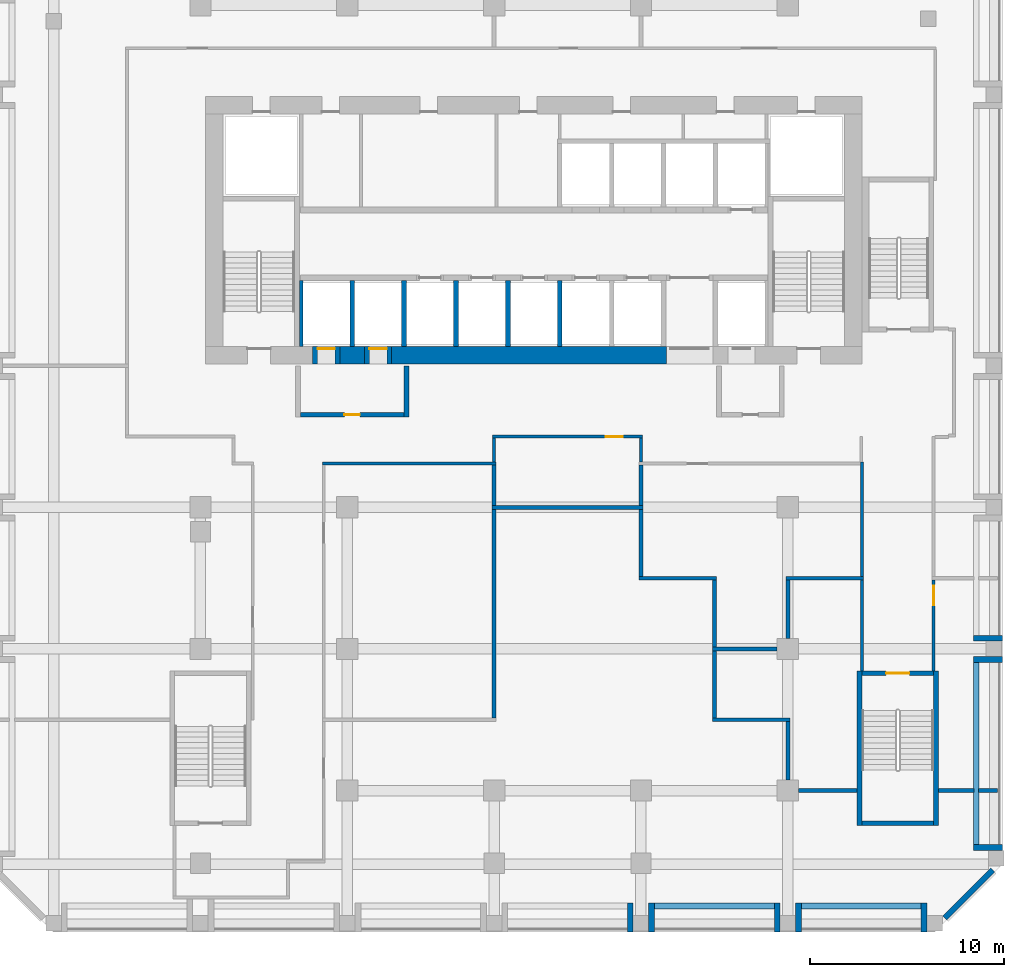
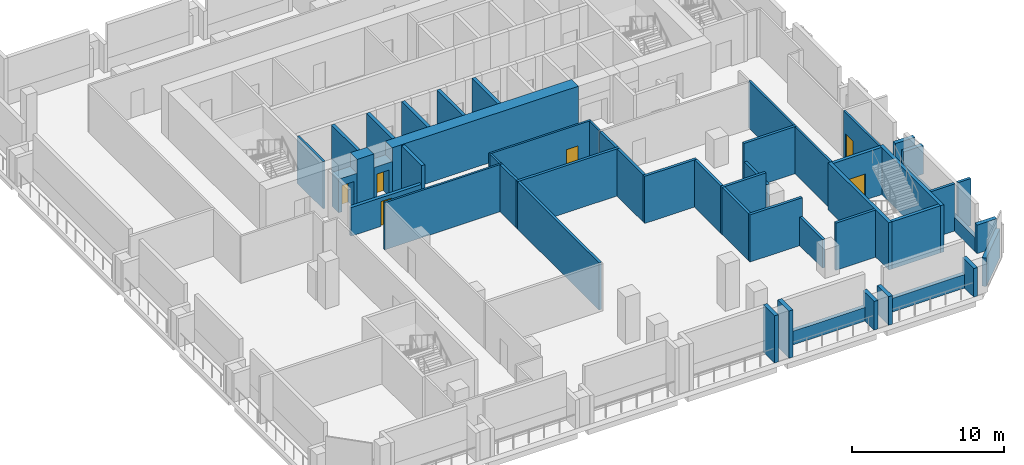
# One storey, part 3 of 10: 51 walls, 6 doors, 6 openings.
"""IFC4 building model written with IfcOpenShell, lengths in metres."""

import ifcopenshell
import ifcopenshell.guid

model = None  # the IFC model being written
_history = None  # IfcOwnerHistory: only IFC2X3 demands one
_inside = {}  # id of a spatial element -> (the spatial element, [elements in it])
_under = {}  # id of a project, library or spatial element -> (it, [spatial elements below it])
_declared = {}  # id of a project -> (the project, [libraries it declares])
_typed = {}  # id of a type object -> (the type object, [elements of that type])
_made_of = {}  # id of a material, layer set ... -> (it, [elements and type objects made of it])


def new_model(schema):
    """Start an empty IFC model of exactly this schema.

    Asked for "IFC4X3", IfcOpenShell would pick the latest addendum, in which some entities
    have other attributes; the version numbers below select the first issue.
    IFC2X3 requires an IfcOwnerHistory on every rooted entity: one is made here for all.
    """
    global model, _history
    if schema == "IFC4X3":
        model = ifcopenshell.file(schema_version=(4, 3, 0, 0))
    else:
        model = ifcopenshell.file(schema=schema)
    _inside.clear()
    _under.clear()
    _declared.clear()
    _typed.clear()
    _made_of.clear()
    _history = None
    if model.schema == "IFC2X3":
        org = make("IfcOrganization", Name="unknown")
        user = make(
            "IfcPersonAndOrganization",
            ThePerson=make("IfcPerson", FamilyName="unknown"),
            TheOrganization=org,
        )
        app = make(
            "IfcApplication",
            ApplicationDeveloper=org,
            Version="unknown",
            ApplicationFullName="unknown",
            ApplicationIdentifier="unknown",
        )
        _history = make(
            "IfcOwnerHistory",
            OwningUser=user,
            OwningApplication=app,
            ChangeAction="ADDED",
            CreationDate=0,
        )
    return model


def make(cls, **values):
    """One entity of the class cls with the attributes given. An attribute that is None is left unset."""
    return model.create_entity(
        cls, **{name: value for name, value in values.items() if value is not None}
    )


def rooted(cls, **values):
    """An entity with a GlobalId (a new one), such as an element, a storey or a relation."""
    return make(cls, GlobalId=ifcopenshell.guid.new(), OwnerHistory=_history, **values)


def si_unit(unit_type, name, prefix=None):
    """IfcSIUnit, for example si_unit("LENGTHUNIT", "METRE", prefix="MILLI")."""
    return make("IfcSIUnit", UnitType=unit_type, Prefix=prefix, Name=name)


def assignment(units):
    """IfcUnitAssignment: the units of a project."""
    return None if units is None else make("IfcUnitAssignment", Units=units)


def point(xyz):
    """IfcCartesianPoint."""
    return None if xyz is None else make("IfcCartesianPoint", Coordinates=xyz)


def direction(xyz):
    """IfcDirection."""
    return None if xyz is None else make("IfcDirection", DirectionRatios=xyz)


def frame(location, z_axis=None, x_axis=None):
    """IfcAxis2Placement3D, a coordinate frame: its origin and axes. An axis left out is left unset."""
    return make(
        "IfcAxis2Placement3D",
        Location=point(location),
        Axis=direction(z_axis),
        RefDirection=direction(x_axis),
    )


def frame_2d(location, x_axis=None):
    """IfcAxis2Placement2D, a coordinate frame in the plane: its origin and x axis."""
    return make(
        "IfcAxis2Placement2D", Location=point(location), RefDirection=direction(x_axis)
    )


def origin():
    """The frame at (0, 0, 0) with its axes left unset."""
    return frame((0.0, 0.0, 0.0))


def place(relative_to, where):
    """IfcLocalPlacement: puts the frame where relative to a parent placement (None: the world)."""
    return make(
        "IfcLocalPlacement", PlacementRelTo=relative_to, RelativePlacement=where
    )


def context(
    kind, dimensions, precision=None, world=None, true_north=None, identifier=None
):
    """IfcGeometricRepresentationContext, for example the 3D "Model" context."""
    return make(
        "IfcGeometricRepresentationContext",
        ContextIdentifier=identifier,
        ContextType=kind,
        CoordinateSpaceDimension=dimensions,
        Precision=precision,
        WorldCoordinateSystem=world,
        TrueNorth=true_north,
    )


def subcontext(parent, identifier, kind, view, scale=None):
    """IfcGeometricRepresentationSubContext, for example "Body" below "Model"."""
    return make(
        "IfcGeometricRepresentationSubContext",
        ContextIdentifier=identifier,
        ContextType=kind,
        ParentContext=parent,
        TargetScale=scale,
        TargetView=view,
    )


def project(units=None, contexts=None):
    """IfcProject with its units and contexts."""
    return rooted(
        "IfcProject",
        Name="project",
        RepresentationContexts=contexts,
        UnitsInContext=assignment(units),
    )


def spatial(cls, under=None, at=None, **own):
    """A site, building, storey or space (cls), placed at a placement, below another one or the project."""
    s = rooted(cls, ObjectPlacement=at, **own)
    if under is not None:
        _under.setdefault(under.id(), (under, []))[1].append(s)
    return s


def profile(cls, at=None, kind="AREA", **sizes):
    """A parametric profile (cls). Its sizes go by their IFC names, for example OverallWidth=200.0."""
    return make(cls, ProfileType=kind, Position=at, **sizes)


def rectangle(**sizes):
    """IfcRectangleProfileDef."""
    return profile("IfcRectangleProfileDef", **sizes)


def extrude(swept, where, along, depth):
    """IfcExtrudedAreaSolid: the profile swept, set in the frame where, extruded along a direction by depth."""
    return make(
        "IfcExtrudedAreaSolid",
        SweptArea=swept,
        Position=where,
        ExtrudedDirection=direction(along),
        Depth=depth,
    )


def shape(context_of_items, identifier, shape_type, items):
    """IfcShapeRepresentation: the items that make up one representation, for example the "Body"."""
    return make(
        "IfcShapeRepresentation",
        ContextOfItems=context_of_items,
        RepresentationIdentifier=identifier,
        RepresentationType=shape_type,
        Items=items,
    )


def source(mapping_origin, context_of_items, identifier, shape_type, items):
    """IfcRepresentationMap: a shape defined once, which mapped items show again and again."""
    return make(
        "IfcRepresentationMap",
        MappingOrigin=mapping_origin,
        MappedRepresentation=shape(context_of_items, identifier, shape_type, items),
    )


def transform(
    local_origin,
    x_axis=None,
    y_axis=None,
    z_axis=None,
    scale=None,
    scale2=None,
    scale3=None,
    uniform=True,
):
    """IfcCartesianTransformationOperator3D, or its non-uniform kind. x_axis, y_axis, z_axis: its Axis1, 2, 3."""
    if uniform:
        return make(
            "IfcCartesianTransformationOperator3D",
            Axis1=direction(x_axis),
            Axis2=direction(y_axis),
            LocalOrigin=point(local_origin),
            Scale=scale,
            Axis3=direction(z_axis),
        )
    return make(
        "IfcCartesianTransformationOperator3DnonUniform",
        Axis1=direction(x_axis),
        Axis2=direction(y_axis),
        LocalOrigin=point(local_origin),
        Scale=scale,
        Axis3=direction(z_axis),
        Scale2=scale2,
        Scale3=scale3,
    )


def mapped(mapping_source, mapping_target):
    """IfcMappedItem: shows the shape of a source again, moved by a transform."""
    return make(
        "IfcMappedItem", MappingSource=mapping_source, MappingTarget=mapping_target
    )


def material(Name=None, Category=None):
    """IfcMaterial."""
    return make("IfcMaterial", Name=Name, Category=Category)


def layer(
    of_material, thickness, ventilated=None, Name=None, Category=None, Priority=None
):
    """IfcMaterialLayer: one layer of a wall or slab, of a material (None: an air gap)."""
    return make(
        "IfcMaterialLayer",
        Material=of_material,
        LayerThickness=thickness,
        IsVentilated=ventilated,
        Name=Name,
        Category=Category,
        Priority=Priority,
    )


def layer_set(layers, Name=None):
    """IfcMaterialLayerSet."""
    return make("IfcMaterialLayerSet", MaterialLayers=layers, LayerSetName=Name)


def made_of(thing, what):
    """Note that an element or type object is made of a material, layer set ...; save() writes the relation."""
    if what is not None:
        _made_of.setdefault(what.id(), (what, []))[1].append(thing)
    return thing


def type_object(cls, material=None, **own):
    """A type object (cls), such as IfcWallType, which elements share."""
    return made_of(rooted(cls, **own), material)


def element(
    cls,
    number,
    at=None,
    inside=None,
    cuts=None,
    type_object=None,
    material=None,
    context=None,
    identifier="Body",
    shape_type=None,
    held_by="IfcProductDefinitionShape",
    body=None,
    shapes=None,
    **own,
):
    """One element of the class cls, such as IfcWall. Its Tag is "e" and its number.

    at: its placement. inside: the storey or other place that contains it. cuts: it is an
    opening in that element (IfcRelVoidsElement). A single representation is given by context,
    identifier, shape_type and body (its items); several are given by shapes. held_by: the class
    of the entity that holds the representations. save() writes the other relations.
    """
    e = rooted(cls, Tag="e%d" % number, ObjectPlacement=at, **own)
    if body is not None:
        shapes = [shape(context, identifier, shape_type, body)]
    if shapes is not None:
        e.Representation = make(held_by, Representations=shapes)
    if inside is not None:
        _inside.setdefault(inside.id(), (inside, []))[1].append(e)
    if cuts is not None:
        rooted(
            "IfcRelVoidsElement", RelatingBuildingElement=cuts, RelatedOpeningElement=e
        )
    if type_object is not None:
        _typed.setdefault(type_object.id(), (type_object, []))[1].append(e)
    return made_of(e, material)


def fill(opening, filler):
    """IfcRelFillsElement: the door or window that sits in an opening."""
    return rooted(
        "IfcRelFillsElement",
        RelatingOpeningElement=opening,
        RelatedBuildingElement=filler,
    )


def aggregate(whole, parts):
    """IfcRelAggregates: a whole, such as a stair, and the parts it consists of."""
    return rooted("IfcRelAggregates", RelatingObject=whole, RelatedObjects=parts)


def save(model, path):
    """Write the relations noted so far, then the file.

    IfcRelAggregates (storeys below a building ...), IfcRelContainedInSpatialStructure (elements
    in a storey), IfcRelDefinesByType, IfcRelAssociatesMaterial and IfcRelDeclares: one each for
    every whole, place, type object, material and project.
    """
    for whole, parts in _under.values():
        aggregate(whole, parts)
    for where, things in _inside.values():
        rooted(
            "IfcRelContainedInSpatialStructure",
            RelatedElements=things,
            RelatingStructure=where,
        )
    for kind, things in _typed.values():
        rooted("IfcRelDefinesByType", RelatedObjects=things, RelatingType=kind)
    for what, things in _made_of.values():
        rooted("IfcRelAssociatesMaterial", RelatedObjects=things, RelatingMaterial=what)
    for by, libraries in _declared.values():
        rooted("IfcRelDeclares", RelatingContext=by, RelatedDefinitions=libraries)
    model.write(path)


model = new_model("IFC4")

# Units and contexts
model_context = context("Model", 3, precision=1e-05, world=origin(), true_north=direction((0.0, 1.0)))
body_context = subcontext(model_context, "Body", "Model", "MODEL_VIEW")
ifc_project = project(units=[si_unit("LENGTHUNIT", "METRE"), si_unit("AREAUNIT", "SQUARE_METRE"), si_unit("VOLUMEUNIT", "CUBIC_METRE"), si_unit("PLANEANGLEUNIT", "RADIAN"), si_unit("MASSUNIT", "GRAM", prefix="KILO")], contexts=[model_context])

# Site, building, storey
site_placement = place(None, origin())
site = spatial("IfcSite", under=ifc_project, at=site_placement, CompositionType="ELEMENT")
building_placement = place(site_placement, origin())
building = spatial("IfcBuilding", under=site, at=building_placement, Name="Kilnfold Tower and Market Hall", CompositionType="ELEMENT")
storey_placement = place(building_placement, frame((0.0, 0.0, 164.300048828125)))
storey = spatial("IfcBuildingStorey", under=building, at=storey_placement, Name="L38 Plant Transfer Level", CompositionType="ELEMENT", Elevation=164.300048828125)

# Walls
ifc_material_1 = material(Name="Gypsum board on steel studs", Category="steel")
ifc_layer_1 = layer(ifc_material_1, 0.14990234375)
ifc_layer_set_1 = layer_set([ifc_layer_1], Name="Gypsum board on steel studs")
wall_type_1 = type_object("IfcWallType", Name="WALL CORRIDOR 150", PredefinedType="PARTITIONING", material=ifc_layer_set_1)
wall_1_placement = place(storey_placement, frame((-9.875, 2.949951171875, 0.0), z_axis=(0.0, 0.0, 1.0), x_axis=(1.0, 0.0, 0.0)))
element("IfcWall", 1, at=wall_1_placement, inside=storey, type_object=wall_type_1, Name="Partition LY25.6", PredefinedType="PARTITIONING", context=body_context, shape_type="SweptSolid", body=[
    extrude(rectangle(XDim=8.97509765625, YDim=0.14990234375, at=frame_2d((4.487548828125, 0.0))), origin(), (0.0, 0.0, 1.0), 3.800048828125),
])
wall_2_placement = place(storey_placement, frame((6.5830078125, 4.26904296875, 0.0), z_axis=(0.0, 0.0, 1.0), x_axis=(0.0, -1.0, 0.0)))
element("IfcWall", 2, at=wall_2_placement, inside=storey, type_object=wall_type_1, Name="Partition LY25.13", PredefinedType="PARTITIONING", context=body_context, shape_type="SweptSolid", body=[
    extrude(rectangle(XDim=1.244140625, YDim=0.14990234375, at=frame_2d((0.6220703125, 0.0))), origin(), (0.0, 0.0, 1.0), 3.800048828125),
])

# Wall, opening, door
wall_3_placement = place(storey_placement, frame((-1.074951171875, 4.343994140625, 0.0), z_axis=(0.0, 0.0, 1.0), x_axis=(1.0, 0.0, 0.0)))
wall_3 = element("IfcWall", 3, at=wall_3_placement, inside=storey, type_object=wall_type_1, Name="Partition LY25.14", PredefinedType="PARTITIONING", context=body_context, shape_type="SweptSolid", body=[
    extrude(rectangle(XDim=7.73291015625, YDim=0.14990234375, at=frame_2d((3.866455078125, 0.0))), origin(), (0.0, 0.0, 1.0), 3.800048828125),
])
opening_1_placement = place(wall_3_placement, frame((5.8291015625, 0.0, 0.0)))
opening_1 = element("IfcOpeningElement", 4, at=opening_1_placement, cuts=wall_3, Name="Opening D3", PredefinedType="OPENING", context=body_context, shape_type="SweptSolid", body=[
    extrude(rectangle(XDim=0.89990234375, YDim=2.10009765625, at=frame_2d((0.449951171875, 1.050048828125))), frame((0.0, 0.0849609375, 0.0), z_axis=(0.0, -1.0, 0.0), x_axis=(1.0, 0.0, 0.0)), (0.0, 0.0, 1.0), 0.169921875),
])
ifc_material_2 = material(Name="Timber veneer door leaf in steel frame", Category="steel")
door_type_1 = type_object("IfcDoorType", Name="DOOR WC 900 X2100", OperationType="NOTDEFINED", PredefinedType="DOOR", material=ifc_material_2)
door_1_placement = place(opening_1_placement, origin())
door_1 = element("IfcDoor", 5, at=door_1_placement, inside=storey, type_object=door_type_1, Name="Door D3", OperationType="SINGLE_SWING_LEFT", OverallHeight=2.10009765625, OverallWidth=0.89990234375, PredefinedType="DOOR", context=body_context, shape_type="SweptSolid", body=[
    extrude(rectangle(XDim=0.89990234375, YDim=2.10009765625, at=frame_2d((0.449951171875, 1.050048828125))), frame((0.0, 0.02490234375, 0.0), z_axis=(0.0, -1.0, 0.0), x_axis=(1.0, 0.0, 0.0)), (0.0, 0.0, 1.0), 0.050048828125),
])
fill(opening_1, door_1)

# Walls
wall_4_placement = place(storey_placement, frame((-1.0, 3.02490234375, 0.0), z_axis=(0.0, 0.0, 1.0), x_axis=(0.0, 1.0, 0.0)))
element("IfcWall", 6, at=wall_4_placement, inside=storey, type_object=wall_type_1, Name="Partition LY25.15", PredefinedType="PARTITIONING", context=body_context, shape_type="SweptSolid", body=[
    extrude(rectangle(XDim=1.244140625, YDim=0.14990234375, at=frame_2d((0.6220703125, 0.0))), origin(), (0.0, 0.0, 1.0), 3.800048828125),
])
wall_5_placement = place(storey_placement, frame((18.0, -2.87890625, 0.0), z_axis=(0.0, 0.0, 1.0), x_axis=(0.0, 1.0, 0.0)))
element("IfcWall", 7, at=wall_5_placement, inside=storey, type_object=wall_type_1, Name="Partition LY25.16", PredefinedType="PARTITIONING", context=body_context, shape_type="SweptSolid", body=[
    extrude(rectangle(XDim=5.90380859375, YDim=0.14990234375, at=frame_2d((2.951904296875, 0.0))), origin(), (0.0, 0.0, 1.0), 3.800048828125),
])

# Wall, opening, door
wall_6_placement = place(storey_placement, frame((21.699951171875, -7.75, 0.0), z_axis=(0.0, 0.0, 1.0), x_axis=(0.0, 1.0, 0.0)))
wall_6 = element("IfcWall", 8, at=wall_6_placement, inside=storey, type_object=wall_type_1, Name="Partition LY25.19", PredefinedType="PARTITIONING", context=body_context, shape_type="SweptSolid", body=[
    extrude(rectangle(XDim=4.69091796875, YDim=0.14990234375, at=frame_2d((2.345458984375, 0.0))), origin(), (0.0, 0.0, 1.0), 3.800048828125),
])
opening_2_placement = place(wall_6_placement, frame((3.387939453125, 0.0, 0.0)))
opening_2 = element("IfcOpeningElement", 9, at=opening_2_placement, cuts=wall_6, Name="Opening D4", PredefinedType="OPENING", context=body_context, shape_type="SweptSolid", body=[
    extrude(rectangle(XDim=1.0, YDim=2.10009765625, at=frame_2d((0.5, 1.050048828125))), frame((0.0, 0.0849609375, 0.0), z_axis=(0.0, -1.0, 0.0), x_axis=(1.0, 0.0, 0.0)), (0.0, 0.0, 1.0), 0.169921875),
])
ifc_material_3 = material(Name="Timber veneer door leaf in steel frame", Category="steel")
door_type_2 = type_object("IfcDoorType", Name="DOOR SERVICE 1000 X2100", OperationType="NOTDEFINED", PredefinedType="DOOR", material=ifc_material_3)
door_2_placement = place(opening_2_placement, origin())
door_2 = element("IfcDoor", 10, at=door_2_placement, inside=storey, type_object=door_type_2, Name="Door D4", OperationType="SINGLE_SWING_RIGHT", OverallHeight=2.10009765625, OverallWidth=1.0, PredefinedType="DOOR", context=body_context, shape_type="SweptSolid", body=[
    extrude(rectangle(XDim=1.0, YDim=2.10009765625, at=frame_2d((0.5, 1.050048828125))), frame((0.0, 0.02490234375, 0.0), z_axis=(0.0, -1.0, 0.0), x_axis=(1.0, 0.0, 0.0)), (0.0, 0.0, 1.0), 0.050048828125),
])
fill(opening_2, door_2)

# Walls
wall_7_placement = place(storey_placement, frame((18.0, -7.75, 0.0), z_axis=(0.0, 0.0, 1.0), x_axis=(0.0, 1.0, 0.0)))
element("IfcWall", 11, at=wall_7_placement, inside=storey, type_object=wall_type_1, Name="Partition LY25.20", PredefinedType="PARTITIONING", context=body_context, shape_type="SweptSolid", body=[
    extrude(rectangle(XDim=4.69091796875, YDim=0.14990234375, at=frame_2d((2.345458984375, 0.0))), origin(), (0.0, 0.0, 1.0), 3.800048828125),
])
ifc_material_4 = material(Name="Gypsum board on steel studs", Category="steel")
ifc_layer_2 = layer(ifc_material_4, 0.199951171875)
ifc_layer_set_2 = layer_set([ifc_layer_2], Name="Gypsum board on steel studs")
wall_type_2 = type_object("IfcWallType", Name="WALL PARTY 200", PredefinedType="PARTITIONING", material=ifc_layer_set_2)
wall_8_placement = place(storey_placement, frame((-1.0, -10.181884765625, 0.0), z_axis=(0.0, 0.0, 1.0), x_axis=(0.0, 1.0, 0.0)))
element("IfcWall", 12, at=wall_8_placement, inside=storey, type_object=wall_type_2, Name="Partition LY25.33", PredefinedType="PARTITIONING", context=body_context, shape_type="SweptSolid", body=[
    extrude(rectangle(XDim=10.77978515625, YDim=0.199951171875, at=frame_2d((5.389892578125, 0.0))), origin(), (0.0, 0.0, 1.0), 3.800048828125),
])
wall_9_placement = place(storey_placement, frame((-1.0, 0.778076171875, 0.0), z_axis=(0.0, 0.0, 1.0), x_axis=(0.0, 1.0, 0.0)))
element("IfcWall", 13, at=wall_9_placement, inside=storey, type_object=wall_type_2, Name="Partition LY25.35", PredefinedType="PARTITIONING", context=body_context, shape_type="SweptSolid", body=[
    extrude(rectangle(XDim=2.095947265625, YDim=0.199951171875, at=frame_2d((1.0478515625, 0.0))), origin(), (0.0, 0.0, 1.0), 3.800048828125),
])
wall_10_placement = place(storey_placement, frame((6.68310546875, 0.68798828125, 0.0), z_axis=(0.0, 0.0, 1.0), x_axis=(-1.0, 0.0, 0.0)))
element("IfcWall", 14, at=wall_10_placement, inside=storey, type_object=wall_type_2, Name="Partition LY25.36", PredefinedType="PARTITIONING", context=body_context, shape_type="SweptSolid", body=[
    extrude(rectangle(XDim=7.783203125, YDim=0.199951171875, at=frame_2d((3.8916015625, 0.0))), origin(), (0.0, 0.0, 1.0), 3.800048828125),
])
wall_11_placement = place(storey_placement, frame((6.5830078125, -2.868896484375, 0.0), z_axis=(0.0, 0.0, 1.0), x_axis=(0.0, 1.0, 0.0)))
element("IfcWall", 15, at=wall_11_placement, inside=storey, type_object=wall_type_2, Name="Partition LY25.37", PredefinedType="PARTITIONING", context=body_context, shape_type="SweptSolid", body=[
    extrude(rectangle(XDim=3.456787109375, YDim=0.199951171875, at=frame_2d((1.728515625, 0.0))), origin(), (0.0, 0.0, 1.0), 3.800048828125),
])
wall_12_placement = place(storey_placement, frame((6.48291015625, -2.968994140625, 0.0), z_axis=(0.0, 0.0, 1.0), x_axis=(1.0, 0.0, 0.0)))
element("IfcWall", 16, at=wall_12_placement, inside=storey, type_object=wall_type_2, Name="Partition LY25.38", PredefinedType="PARTITIONING", context=body_context, shape_type="SweptSolid", body=[
    extrude(rectangle(XDim=3.9921875, YDim=0.199951171875, at=frame_2d((1.99609375, 0.0))), origin(), (0.0, 0.0, 1.0), 3.800048828125),
])
wall_13_placement = place(storey_placement, frame((10.375, -6.534912109375, 0.0), z_axis=(0.0, 0.0, 1.0), x_axis=(0.0, 1.0, 0.0)))
element("IfcWall", 17, at=wall_13_placement, inside=storey, type_object=wall_type_2, Name="Partition LY25.39", PredefinedType="PARTITIONING", context=body_context, shape_type="SweptSolid", body=[
    extrude(rectangle(XDim=3.4658203125, YDim=0.199951171875, at=frame_2d((1.73291015625, 0.0))), origin(), (0.0, 0.0, 1.0), 3.800048828125),
])
wall_14_placement = place(storey_placement, frame((10.375, -10.181884765625, 0.0), z_axis=(0.0, 0.0, 1.0), x_axis=(0.0, 1.0, 0.0)))
element("IfcWall", 18, at=wall_14_placement, inside=storey, type_object=wall_type_2, Name="Partition LY25.40", PredefinedType="PARTITIONING", context=body_context, shape_type="SweptSolid", body=[
    extrude(rectangle(XDim=3.466796875, YDim=0.199951171875, at=frame_2d((1.7333984375, 0.0))), origin(), (0.0, 0.0, 1.0), 3.800048828125),
])
wall_15_placement = place(storey_placement, frame((10.27490234375, -10.281982421875, 0.0), z_axis=(0.0, 0.0, 1.0), x_axis=(1.0, 0.0, 0.0)))
element("IfcWall", 19, at=wall_15_placement, inside=storey, type_object=wall_type_2, Name="Partition LY25.41", PredefinedType="PARTITIONING", context=body_context, shape_type="SweptSolid", body=[
    extrude(rectangle(XDim=3.9921875, YDim=0.199951171875, at=frame_2d((1.99609375, 0.0))), origin(), (0.0, 0.0, 1.0), 3.800048828125),
])
wall_16_placement = place(storey_placement, frame((14.1669921875, -13.386962890625, 0.0), z_axis=(0.0, 0.0, 1.0), x_axis=(0.0, 1.0, 0.0)))
element("IfcWall", 20, at=wall_16_placement, inside=storey, type_object=wall_type_2, Name="Partition LY25.42", PredefinedType="PARTITIONING", context=body_context, shape_type="SweptSolid", body=[
    extrude(rectangle(XDim=3.0048828125, YDim=0.199951171875, at=frame_2d((1.50244140625, 0.0))), origin(), (0.0, 0.0, 1.0), 2.300048828125),
])
wall_17_placement = place(storey_placement, frame((14.717041015625, -13.93798828125, 0.0), z_axis=(0.0, 0.0, 1.0), x_axis=(1.0, 0.0, 0.0)))
element("IfcWall", 21, at=wall_17_placement, inside=storey, type_object=wall_type_2, Name="Partition LY25.43", PredefinedType="PARTITIONING", context=body_context, shape_type="SweptSolid", body=[
    extrude(rectangle(XDim=3.032958984375, YDim=0.199951171875, at=frame_2d((1.5166015625, 0.0))), origin(), (0.0, 0.0, 1.0), 3.800048828125),
])
wall_18_placement = place(storey_placement, frame((21.949951171875, -13.93798828125, 0.0), z_axis=(0.0, 0.0, 1.0), x_axis=(1.0, 0.0, 0.0)))
element("IfcWall", 22, at=wall_18_placement, inside=storey, type_object=wall_type_2, Name="Partition LY25.44", PredefinedType="PARTITIONING", context=body_context, shape_type="SweptSolid", body=[
    extrude(rectangle(XDim=1.830078125, YDim=0.199951171875, at=frame_2d((0.9150390625, 0.0))), origin(), (0.0, 0.0, 1.0), 3.800048828125),
])
wall_19_placement = place(storey_placement, frame((24.02001953125, -13.93798828125, 0.0), z_axis=(0.0, 0.0, 1.0), x_axis=(1.0, 0.0, 0.0)))
element("IfcWall", 23, at=wall_19_placement, inside=storey, type_object=wall_type_2, Name="Partition LY25.45", PredefinedType="PARTITIONING", context=body_context, shape_type="SweptSolid", body=[
    extrude(rectangle(XDim=0.97998046875, YDim=0.199951171875, at=frame_2d((0.489990234375, 0.0))), origin(), (0.0, 0.0, 1.0), 3.800048828125),
])
wall_20_placement = place(storey_placement, frame((6.5830078125, 0.7880859375, 0.0), z_axis=(0.0, 0.0, 1.0), x_axis=(0.0, 1.0, 0.0)))
element("IfcWall", 24, at=wall_20_placement, inside=storey, type_object=wall_type_2, Name="Partition LY25.46", PredefinedType="PARTITIONING", context=body_context, shape_type="SweptSolid", body=[
    extrude(rectangle(XDim=2.0859375, YDim=0.199951171875, at=frame_2d((1.04296875, 0.0))), origin(), (0.0, 0.0, 1.0), 3.800048828125),
])
wall_21_placement = place(storey_placement, frame((14.06689453125, -2.968994140625, 0.0), z_axis=(0.0, 0.0, 1.0), x_axis=(1.0, 0.0, 0.0)))
element("IfcWall", 25, at=wall_21_placement, inside=storey, type_object=wall_type_2, Name="Partition LY25.47", PredefinedType="PARTITIONING", context=body_context, shape_type="SweptSolid", body=[
    extrude(rectangle(XDim=4.007080078125, YDim=0.199951171875, at=frame_2d((2.00341796875, 0.0))), origin(), (0.0, 0.0, 1.0), 3.800048828125),
])
wall_22_placement = place(storey_placement, frame((14.1669921875, -6.074951171875, 0.0), z_axis=(0.0, 0.0, 1.0), x_axis=(0.0, 1.0, 0.0)))
element("IfcWall", 26, at=wall_22_placement, inside=storey, type_object=wall_type_2, Name="Partition LY25.48", PredefinedType="PARTITIONING", context=body_context, shape_type="SweptSolid", body=[
    extrude(rectangle(XDim=3.005859375, YDim=0.199951171875, at=frame_2d((1.5029296875, 0.0))), origin(), (0.0, 0.0, 1.0), 2.300048828125),
])
wall_23_placement = place(storey_placement, frame((10.27490234375, -6.625, 0.0), z_axis=(0.0, 0.0, 1.0), x_axis=(1.0, 0.0, 0.0)))
element("IfcWall", 27, at=wall_23_placement, inside=storey, type_object=wall_type_2, Name="Partition LY25.49", PredefinedType="PARTITIONING", context=body_context, shape_type="SweptSolid", body=[
    extrude(rectangle(XDim=3.342041015625, YDim=0.199951171875, at=frame_2d((1.6708984375, 0.0))), origin(), (0.0, 0.0, 1.0), 3.800048828125),
])
ifc_material_5 = material(Name="Concrete C70", Category="concrete")
ifc_layer_3 = layer(ifc_material_5, 0.25)
ifc_layer_set_3 = layer_set([ifc_layer_3], Name="Concrete C70")
wall_type_3 = type_object("IfcWallType", Name="CORE WALL 250 C70", PredefinedType="SHEAR", material=ifc_layer_set_3)
shared_shape_1 = source(origin(), body_context, "Body", "SweptSolid", [
    extrude(rectangle(XDim=3.699951171875, YDim=0.25, at=frame_2d((1.85009765625, 0.0))), origin(), (0.0, 0.0, 1.0), 3.800048828125),
])
wall_24_placement = place(storey_placement, frame((18.0, -15.625, 0.0), z_axis=(0.0, 0.0, 1.0), x_axis=(1.0, 0.0, 0.0)))
element("IfcWall", 28, at=wall_24_placement, inside=storey, type_object=wall_type_3, Name="Stair enclosure ST4", PredefinedType="SHEAR", context=body_context, shape_type="MappedRepresentation", body=[
    mapped(shared_shape_1, transform((0.0, 0.0, 0.0))),
])

# Wall, opening, door
wall_25_placement = place(storey_placement, frame((18.0, -7.875, 0.0), z_axis=(0.0, 0.0, 1.0), x_axis=(1.0, 0.0, 0.0)))
wall_25 = element("IfcWall", 29, at=wall_25_placement, inside=storey, type_object=wall_type_3, Name="Stair enclosure ST4", PredefinedType="SHEAR", context=body_context, shape_type="MappedRepresentation", body=[
    mapped(shared_shape_1, transform((0.0, 0.0, 0.0))),
])
opening_3_placement = place(wall_25_placement, frame((1.25, 0.0, 0.0)))
opening_3 = element("IfcOpeningElement", 30, at=opening_3_placement, cuts=wall_25, Name="Opening SD1", PredefinedType="OPENING", context=body_context, shape_type="SweptSolid", body=[
    extrude(rectangle(XDim=1.199951171875, YDim=2.10009765625, at=frame_2d((0.60009765625, 1.050048828125))), frame((0.0, 0.135009765625, 0.0), z_axis=(0.0, -1.0, 0.0), x_axis=(1.0, 0.0, 0.0)), (0.0, 0.0, 1.0), 0.27001953125),
])
ifc_material_6 = material(Name="Steel door set with fire-resisting leaf", Category="steel")
door_type_3 = type_object("IfcDoorType", Name="STAIR FLOOR DOOR 1200X2100", OperationType="NOTDEFINED", PredefinedType="DOOR", material=ifc_material_6)
door_3_placement = place(opening_3_placement, origin())
door_3 = element("IfcDoor", 31, at=door_3_placement, inside=storey, type_object=door_type_3, Name="Exit stair ST4 door", OperationType="DOUBLE_DOOR_SINGLE_SWING", OverallHeight=2.10009765625, OverallWidth=1.199951171875, PredefinedType="DOOR", context=body_context, shape_type="SweptSolid", body=[
    extrude(rectangle(XDim=1.199951171875, YDim=2.10009765625, at=frame_2d((0.60009765625, 1.050048828125))), frame((0.0, 0.02490234375, 0.0), z_axis=(0.0, -1.0, 0.0), x_axis=(1.0, 0.0, 0.0)), (0.0, 0.0, 1.0), 0.050048828125),
])
fill(opening_3, door_3)

# Walls
shared_shape_2 = source(origin(), body_context, "Body", "SweptSolid", [
    extrude(rectangle(XDim=8.0, YDim=0.25, at=frame_2d((4.0, 0.0))), origin(), (0.0, 0.0, 1.0), 3.800048828125),
])
for number, where, z_axis, x_axis, name in (
    (32, (17.875, -15.75, 0.0), (0.0, 0.0, 1.0), (0.0, 1.0, 0.0), "Stair enclosure ST4"),
    (33, (21.824951171875, -15.75, 0.0), (0.0, 0.0, 1.0), (0.0, 1.0, 0.0), "Stair enclosure ST4"),
):
    element("IfcWall", number, at=place(storey_placement, frame(where, z_axis=z_axis, x_axis=x_axis)), inside=storey, type_object=wall_type_3, Name=name, PredefinedType="SHEAR", context=body_context, shape_type="MappedRepresentation", body=[
        mapped(shared_shape_2, transform((0.0, 0.0, 0.0))),
    ])
ifc_material_7 = material(Name="Concrete C70", Category="concrete")
ifc_layer_4 = layer(ifc_material_7, 0.89990234375)
ifc_layer_set_4 = layer_set([ifc_layer_4], Name="Concrete C70")
wall_type_4 = type_object("IfcWallType", Name="CORE WALL 900 C70", PredefinedType="SHEAR", material=ifc_layer_set_4)
shared_shape_3 = source(origin(), body_context, "Body", "SweptSolid", [
    extrude(rectangle(XDim=1.280029296875, YDim=0.89990234375, at=frame_2d((0.64013671875, 0.0))), origin(), (0.0, 0.0, 1.0), 3.800048828125),
])
wall_26_placement = place(storey_placement, frame((-8.969970703125, 8.550048828125, 0.0), z_axis=(0.0, 0.0, 1.0), x_axis=(1.0, 0.0, 0.0)))
element("IfcWall", 34, at=wall_26_placement, inside=storey, type_object=wall_type_4, Name="Core outer wall south", PredefinedType="SHEAR", context=body_context, shape_type="MappedRepresentation", body=[
    mapped(shared_shape_3, transform((0.0, 0.0, 0.0))),
])
shared_shape_4 = source(origin(), body_context, "Body", "SweptSolid", [
    extrude(rectangle(XDim=14.179931640625, YDim=0.89990234375, at=frame_2d((7.08984375, 0.0))), origin(), (0.0, 0.0, 1.0), 3.800048828125),
])
wall_27_placement = place(storey_placement, frame((-6.2900390625, 8.550048828125, 0.0), z_axis=(0.0, 0.0, 1.0), x_axis=(1.0, 0.0, 0.0)))
element("IfcWall", 35, at=wall_27_placement, inside=storey, type_object=wall_type_4, Name="Core outer wall south", PredefinedType="SHEAR", context=body_context, shape_type="MappedRepresentation", body=[
    mapped(shared_shape_4, transform((0.0, 0.0, 0.0))),
])
ifc_material_8 = material(Name="Precast concrete C50/60", Category="concrete")
ifc_layer_5 = layer(ifc_material_8, 0.300048828125)
ifc_layer_set_5 = layer_set([ifc_layer_5], Name="Precast concrete C50/60")
wall_type_5 = type_object("IfcWallType", Name="PRECAST WALL 300", PredefinedType="SOLIDWALL", material=ifc_layer_set_5)
shared_shape_5 = source(origin(), body_context, "Body", "SweptSolid", [
    extrude(rectangle(XDim=1.5, YDim=0.300048828125, at=frame_2d((0.75, 0.0))), origin(), (0.0, 0.0, 1.0), 2.300048828125),
])
for number, where, z_axis, x_axis, name in (
    (36, (13.61669921875, -21.25, 0.0), (0.0, 0.0, 1.0), (0.0, 1.0, 0.0), "Plant wall L38 S"),
    (37, (14.716796875, -21.25, 0.0), (0.0, 0.0, 1.0), (0.0, 1.0, 0.0), "Plant wall L38 S"),
    (38, (21.199951171875, -21.25, 0.0), (0.0, 0.0, 1.0), (0.0, 1.0, 0.0), "Plant wall L38 S"),
    (39, (25.25, -16.8818359375, 0.0), (0.0, 0.0, 1.0), (-1.0, 0.0, 0.0), "Plant wall L38 E"),
    (40, (25.25, -7.175048828125, 0.0), (0.0, 0.0, 1.0), (-1.0, 0.0, 0.0), "Plant wall L38 E"),
    (41, (25.25, -6.074951171875, 0.0), (0.0, 0.0, 1.0), (-1.0, 0.0, 0.0), "Plant wall L38 E"),
):
    element("IfcWall", number, at=place(storey_placement, frame(where, z_axis=z_axis, x_axis=x_axis)), inside=storey, type_object=wall_type_5, Name=name, PredefinedType="SOLIDWALL", context=body_context, shape_type="MappedRepresentation", body=[
        mapped(shared_shape_5, transform((0.0, 0.0, 0.0))),
    ])
shared_shape_6 = source(origin(), body_context, "Body", "SweptSolid", [
    extrude(rectangle(XDim=1.5, YDim=0.300048828125, at=frame_2d((0.75, 0.0))), origin(), (0.0, 0.0, 1.0), 3.800048828125),
])
for number, where, z_axis, x_axis, name in (
    (42, (6.033203125, -21.25, 0.0), (0.0, 0.0, 1.0), (0.0, 1.0, 0.0), "Plant wall L38 S"),
    (43, (7.13330078125, -21.25, 0.0), (0.0, 0.0, 1.0), (0.0, 1.0, 0.0), "Plant wall L38 S"),
):
    element("IfcWall", number, at=place(storey_placement, frame(where, z_axis=z_axis, x_axis=x_axis)), inside=storey, type_object=wall_type_5, Name=name, PredefinedType="SOLIDWALL", context=body_context, shape_type="MappedRepresentation", body=[
        mapped(shared_shape_6, transform((0.0, 0.0, 0.0))),
    ])
shared_shape_7 = source(origin(), body_context, "Body", "SweptSolid", [
    extrude(rectangle(XDim=6.183349609375, YDim=0.300048828125, at=frame_2d((3.091796875, 0.0))), origin(), (0.0, 0.0, 1.0), 1.099853515625),
])
wall_28_placement = place(storey_placement, frame((14.86669921875, -19.89990234375, 0.0), z_axis=(0.0, 0.0, 1.0), x_axis=(1.0, 0.0, 0.0)))
element("IfcWall", 44, at=wall_28_placement, inside=storey, type_object=wall_type_5, Name="Knee wall L38 S", PredefinedType="SOLIDWALL", context=body_context, shape_type="MappedRepresentation", body=[
    mapped(shared_shape_7, transform((0.0, 0.0, 0.0))),
])
shared_shape_8 = source(origin(), body_context, "Body", "SweptSolid", [
    extrude(rectangle(XDim=6.18359375, YDim=0.300048828125, at=frame_2d((3.091796875, 0.0))), origin(), (0.0, 0.0, 1.0), 1.099853515625),
])
wall_29_placement = place(storey_placement, frame((7.283203125, -19.89990234375, 0.0), z_axis=(0.0, 0.0, 1.0), x_axis=(1.0, 0.0, 0.0)))
element("IfcWall", 45, at=wall_29_placement, inside=storey, type_object=wall_type_5, Name="Knee wall L38 S", PredefinedType="SOLIDWALL", context=body_context, shape_type="MappedRepresentation", body=[
    mapped(shared_shape_8, transform((0.0, 0.0, 0.0))),
])
shared_shape_9 = source(origin(), body_context, "Body", "SweptSolid", [
    extrude(rectangle(XDim=3.500244140625, YDim=0.300048828125, at=frame_2d((1.75, 0.0))), origin(), (0.0, 0.0, 1.0), 2.300048828125),
])
wall_30_placement = place(storey_placement, frame((22.268798828125, -20.518798828125, 0.0), z_axis=(0.0, 0.0, 1.0), x_axis=(0.707141656123, 0.70707190453, 0.0)))
element("IfcWall", 46, at=wall_30_placement, inside=storey, type_object=wall_type_5, Name="Plant wall L38 SE", PredefinedType="SOLIDWALL", context=body_context, shape_type="MappedRepresentation", body=[
    mapped(shared_shape_9, transform((0.0, 0.0, 0.0))),
])
shared_shape_10 = source(origin(), body_context, "Body", "SweptSolid", [
    extrude(rectangle(XDim=9.40673828125, YDim=0.300048828125, at=frame_2d((4.703369140625, 0.0))), origin(), (0.0, 0.0, 1.0), 1.099853515625),
])
wall_31_placement = place(storey_placement, frame((23.89990234375, -16.731689453125, 0.0), z_axis=(0.0, 0.0, 1.0), x_axis=(0.0, 1.0, 0.0)))
element("IfcWall", 47, at=wall_31_placement, inside=storey, type_object=wall_type_5, Name="Knee wall L38 E", PredefinedType="SOLIDWALL", context=body_context, shape_type="MappedRepresentation", body=[
    mapped(shared_shape_10, transform((0.0, 0.0, 0.0))),
])
ifc_material_9 = material(Name="Gypsum shaft wall system")
ifc_layer_6 = layer(ifc_material_9, 0.25)
ifc_layer_set_6 = layer_set([ifc_layer_6], Name="Gypsum shaft wall system")
wall_type_6 = type_object("IfcWallType", Name="LOBBY WALL 250", PredefinedType="PARTITIONING", material=ifc_layer_set_6)
shared_shape_11 = source(origin(), body_context, "Body", "SweptSolid", [
    extrude(rectangle(XDim=2.64990234375, YDim=0.25, at=frame_2d((1.324951171875, 0.0))), origin(), (0.0, 0.0, 1.0), 3.800048828125),
])
wall_32_placement = place(storey_placement, frame((-5.52490234375, 5.35009765625, 0.0), z_axis=(0.0, 0.0, 1.0), x_axis=(0.0, 1.0, 0.0)))
element("IfcWall", 48, at=wall_32_placement, inside=storey, type_object=wall_type_6, Name="Firefighting lobby wall", PredefinedType="PARTITIONING", context=body_context, shape_type="MappedRepresentation", body=[
    mapped(shared_shape_11, transform((0.0, 0.0, 0.0))),
])
ifc_material_10 = material(Name="Gypsum shaft wall system")
ifc_layer_7 = layer(ifc_material_10, 0.25)
ifc_layer_set_7 = layer_set([ifc_layer_7], Name="Gypsum shaft wall system")
wall_type_7 = type_object("IfcWallType", Name="SHAFT WALL 250", PredefinedType="PARTITIONING", material=ifc_layer_set_7)
shared_shape_12 = source(origin(), body_context, "Body", "SweptSolid", [
    extrude(rectangle(XDim=3.39990234375, YDim=0.25, at=frame_2d((1.699951171875, 0.0))), origin(), (0.0, 0.0, 1.0), 3.800048828125),
])
for number, where, z_axis, x_axis, name in (
    (49, (2.389892578125, 9.0, 0.0), (0.0, 0.0, 1.0), (0.0, 1.0, 0.0), "Lift shaft wall"),
    (50, (-0.2900390625, 9.0, 0.0), (0.0, 0.0, 1.0), (0.0, 1.0, 0.0), "Lift shaft wall"),
    (51, (-2.969970703125, 9.0, 0.0), (0.0, 0.0, 1.0), (0.0, 1.0, 0.0), "Lift shaft wall"),
    (52, (-5.64990234375, 9.0, 0.0), (0.0, 0.0, 1.0), (0.0, 1.0, 0.0), "Lift shaft wall"),
    (53, (-8.330078125, 9.0, 0.0), (0.0, 0.0, 1.0), (0.0, 1.0, 0.0), "Lift shaft wall"),
):
    element("IfcWall", number, at=place(storey_placement, frame(where, z_axis=z_axis, x_axis=x_axis)), inside=storey, type_object=wall_type_7, Name=name, PredefinedType="PARTITIONING", context=body_context, shape_type="MappedRepresentation", body=[
        mapped(shared_shape_12, transform((0.0, 0.0, 0.0))),
    ])
ifc_material_11 = material(Name="Gypsum shaft wall system")
ifc_layer_8 = layer(ifc_material_11, 0.1650390625)
ifc_layer_set_8 = layer_set([ifc_layer_8], Name="Gypsum shaft wall system")
wall_type_8 = type_object("IfcWallType", Name="SHAFT WALL 165", PredefinedType="PARTITIONING", material=ifc_layer_set_8)
shared_shape_13 = source(origin(), body_context, "Body", "SweptSolid", [
    extrude(rectangle(XDim=3.39990234375, YDim=0.1650390625, at=frame_2d((1.699951171875, 0.0))), origin(), (0.0, 0.0, 1.0), 3.800048828125),
])
wall_33_placement = place(storey_placement, frame((-10.967529296875, 9.0, 0.0), z_axis=(0.0, 0.0, 1.0), x_axis=(0.0, 1.0, 0.0)))
element("IfcWall", 54, at=wall_33_placement, inside=storey, type_object=wall_type_8, Name="Lift shaft wall", PredefinedType="PARTITIONING", context=body_context, shape_type="MappedRepresentation", body=[
    mapped(shared_shape_13, transform((0.0, 0.0, 0.0))),
])

# Wall, opening, door
ifc_material_12 = material(Name="Gypsum shaft wall system")
ifc_layer_9 = layer(ifc_material_12, 0.89990234375)
ifc_layer_set_9 = layer_set([ifc_layer_9], Name="Gypsum shaft wall system")
wall_type_9 = type_object("IfcWallType", Name="LOBBY WALL 900", PredefinedType="PARTITIONING", material=ifc_layer_set_9)
shared_shape_14 = source(origin(), body_context, "Body", "SweptSolid", [
    extrude(rectangle(XDim=1.400146484375, YDim=0.89990234375, at=frame_2d((0.7001953125, 0.0))), origin(), (0.0, 0.0, 1.0), 2.699951171875),
])
wall_34_placement = place(storey_placement, frame((-10.3701171875, 8.550048828125, 0.0), z_axis=(0.0, 0.0, 1.0), x_axis=(1.0, 0.0, 0.0)))
wall_34 = element("IfcWall", 55, at=wall_34_placement, inside=storey, type_object=wall_type_9, Name="Core wall infill", PredefinedType="PARTITIONING", context=body_context, shape_type="MappedRepresentation", body=[
    mapped(shared_shape_14, transform((0.0, 0.0, 0.0))),
])
opening_4_placement = place(wall_34_placement, frame((0.25, 0.0, 0.0)))
opening_4 = element("IfcOpeningElement", 56, at=opening_4_placement, cuts=wall_34, Name="Opening LD1", PredefinedType="OPENING", context=body_context, shape_type="SweptSolid", body=[
    extrude(rectangle(XDim=0.89990234375, YDim=2.10009765625, at=frame_2d((0.449951171875, 1.050048828125))), frame((0.0, 0.4599609375, 0.0), z_axis=(0.0, -1.0, 0.0), x_axis=(1.0, 0.0, 0.0)), (0.0, 0.0, 1.0), 0.919921875),
])
ifc_material_13 = material(Name="Steel door set with fire-resisting leaf", Category="steel")
door_type_4 = type_object("IfcDoorType", Name="FIREFIGHTING LANDING DOOR 900X2100", OperationType="NOTDEFINED", PredefinedType="DOOR", material=ifc_material_13)
door_4_placement = place(opening_4_placement, origin())
door_4 = element("IfcDoor", 57, at=door_4_placement, inside=storey, type_object=door_type_4, Name="Landing door FF1", OperationType="SLIDING_TO_LEFT", OverallHeight=2.10009765625, OverallWidth=0.89990234375, PredefinedType="DOOR", context=body_context, shape_type="SweptSolid", body=[
    extrude(rectangle(XDim=0.89990234375, YDim=2.10009765625, at=frame_2d((0.449951171875, 1.050048828125))), frame((0.0, 0.35498046875, 0.0), z_axis=(0.0, -1.0, 0.0), x_axis=(1.0, 0.0, 0.0)), (0.0, 0.0, 1.0), 0.050048828125),
])
fill(opening_4, door_4)

shared_shape_15 = source(origin(), body_context, "Body", "SweptSolid", [
    extrude(rectangle(XDim=1.39990234375, YDim=0.89990234375, at=frame_2d((0.699951171875, 0.0))), origin(), (0.0, 0.0, 1.0), 2.699951171875),
])
wall_35_placement = place(storey_placement, frame((-7.68994140625, 8.550048828125, 0.0), z_axis=(0.0, 0.0, 1.0), x_axis=(1.0, 0.0, 0.0)))
wall_35 = element("IfcWall", 58, at=wall_35_placement, inside=storey, type_object=wall_type_9, Name="Core wall infill", PredefinedType="PARTITIONING", context=body_context, shape_type="MappedRepresentation", body=[
    mapped(shared_shape_15, transform((0.0, 0.0, 0.0))),
])
opening_5_placement = place(wall_35_placement, frame((0.25, 0.0, 0.0)))
opening_5 = element("IfcOpeningElement", 59, at=opening_5_placement, cuts=wall_35, Name="Opening LD1", PredefinedType="OPENING", context=body_context, shape_type="SweptSolid", body=[
    extrude(rectangle(XDim=0.89990234375, YDim=2.10009765625, at=frame_2d((0.449951171875, 1.050048828125))), frame((0.0, 0.4599609375, 0.0), z_axis=(0.0, -1.0, 0.0), x_axis=(1.0, 0.0, 0.0)), (0.0, 0.0, 1.0), 0.919921875),
])
door_5_placement = place(opening_5_placement, origin())
door_5 = element("IfcDoor", 60, at=door_5_placement, inside=storey, type_object=door_type_4, Name="Landing door FF2", OperationType="SLIDING_TO_RIGHT", OverallHeight=2.10009765625, OverallWidth=0.89990234375, PredefinedType="DOOR", context=body_context, shape_type="SweptSolid", body=[
    extrude(rectangle(XDim=0.89990234375, YDim=2.10009765625, at=frame_2d((0.449951171875, 1.050048828125))), frame((0.0, 0.35498046875, 0.0), z_axis=(0.0, -1.0, 0.0), x_axis=(1.0, 0.0, 0.0)), (0.0, 0.0, 1.0), 0.050048828125),
])
fill(opening_5, door_5)

shared_shape_16 = source(origin(), body_context, "Body", "SweptSolid", [
    extrude(rectangle(XDim=5.360107421875, YDim=0.25, at=frame_2d((2.68017578125, 0.0))), origin(), (0.0, 0.0, 1.0), 2.300048828125),
])
wall_36_placement = place(storey_placement, frame((-11.010009765625, 5.47509765625, 0.0), z_axis=(0.0, 0.0, 1.0), x_axis=(1.0, 0.0, 0.0)))
wall_36 = element("IfcWall", 61, at=wall_36_placement, inside=storey, type_object=wall_type_6, Name="Firefighting lobby wall", PredefinedType="PARTITIONING", context=body_context, shape_type="MappedRepresentation", body=[
    mapped(shared_shape_16, transform((0.0, 0.0, 0.0))),
])
opening_6_placement = place(wall_36_placement, frame((2.280029296875, 0.0, 0.0)))
opening_6 = element("IfcOpeningElement", 62, at=opening_6_placement, cuts=wall_36, Name="Opening VD1", PredefinedType="OPENING", context=body_context, shape_type="SweptSolid", body=[
    extrude(rectangle(XDim=0.800048828125, YDim=2.0, at=frame_2d((0.39990234375, 1.0))), frame((0.0, 0.135009765625, 0.0), z_axis=(0.0, -1.0, 0.0), x_axis=(1.0, 0.0, 0.0)), (0.0, 0.0, 1.0), 0.27001953125),
])
ifc_material_14 = material(Name="Steel door set with fire-resisting leaf", Category="steel")
door_type_5 = type_object("IfcDoorType", Name="FIREFIGHTING LOBBY DOOR 800X2000", OperationType="NOTDEFINED", PredefinedType="DOOR", material=ifc_material_14)
door_6_placement = place(opening_6_placement, origin())
door_6 = element("IfcDoor", 63, at=door_6_placement, inside=storey, type_object=door_type_5, Name="Firefighting lobby door", OperationType="SINGLE_SWING_LEFT", OverallHeight=2.0, OverallWidth=0.800048828125, PredefinedType="DOOR", context=body_context, shape_type="SweptSolid", body=[
    extrude(rectangle(XDim=0.800048828125, YDim=2.0, at=frame_2d((0.39990234375, 1.0))), frame((0.0, 0.02490234375, 0.0), z_axis=(0.0, -1.0, 0.0), x_axis=(1.0, 0.0, 0.0)), (0.0, 0.0, 1.0), 0.050048828125),
])
fill(opening_6, door_6)

save(model, "model.ifc")
